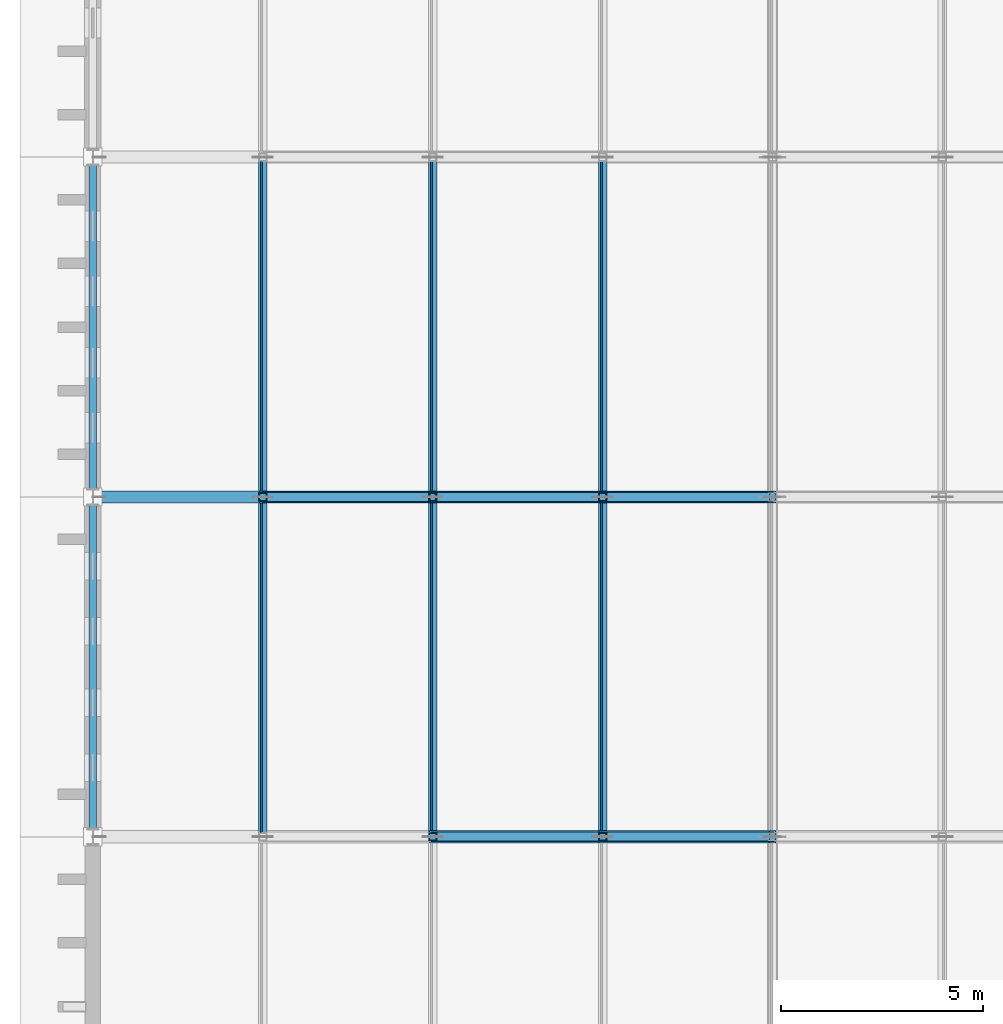
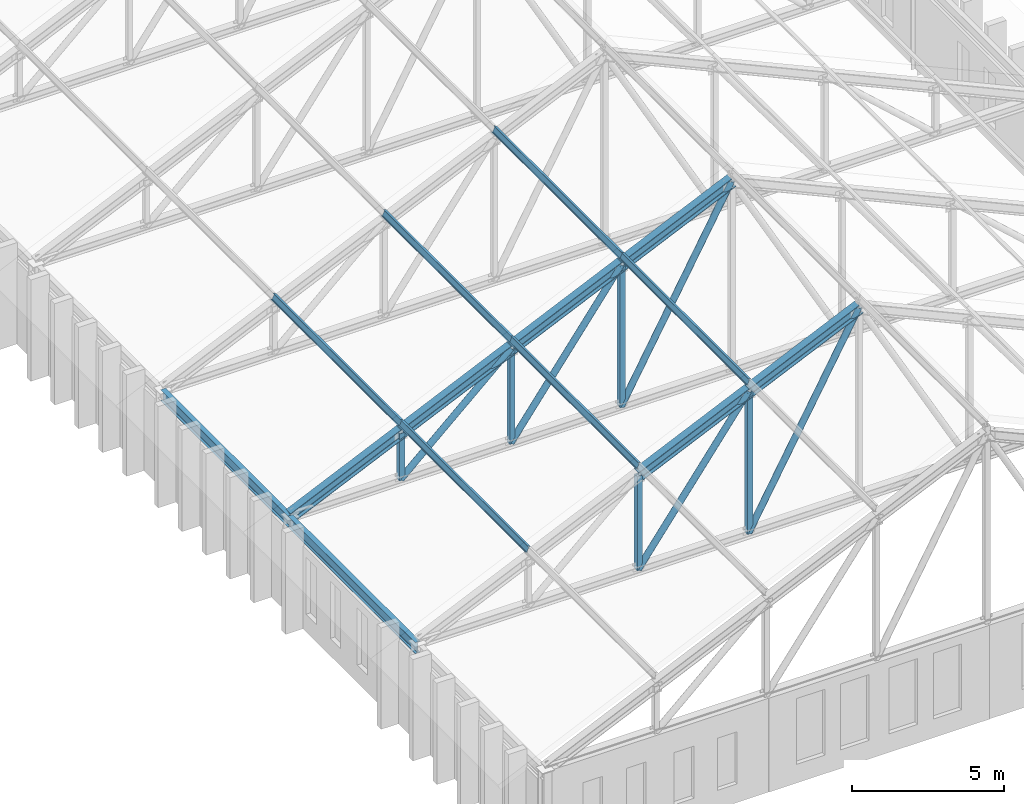
# One storey, part 7 of 110: 22 members, 2 beams.
"""IFC4 building model written with IfcOpenShell, lengths in metres."""

from ifc_helpers import new_model, si_unit, direction, frame, origin, origin_2d, place, context, subcontext, project, spatial, hollow_rectangle, hollow_circle, i_section, extrude, material, material_profile, profile_set, type_object, element, save


model = new_model("IFC4")

# Units and contexts
model_context = context("Model", 3, precision=1e-05, world=origin(), true_north=direction((0.0, 1.0)))
body_context = subcontext(model_context, "Body", "Model", "MODEL_VIEW")
ifc_project = project(units=[si_unit("LENGTHUNIT", "METRE"), si_unit("AREAUNIT", "SQUARE_METRE"), si_unit("VOLUMEUNIT", "CUBIC_METRE"), si_unit("PLANEANGLEUNIT", "RADIAN"), si_unit("MASSUNIT", "GRAM", prefix="KILO")], contexts=[model_context])

# Site, building, storey
site_placement = place(None, origin())
site = spatial("IfcSite", under=ifc_project, at=site_placement, CompositionType="ELEMENT")
building_placement = place(site_placement, origin())
building = spatial("IfcBuilding", under=site, at=building_placement, Name="Kveldsbrygga Polytechnic", CompositionType="ELEMENT")
storey_placement = place(building_placement, frame((0.0, 0.0, 9.860107421875)))
storey = spatial("IfcBuildingStorey", under=building, at=storey_placement, Name="L02", CompositionType="ELEMENT", Elevation=9.860107421875)

# Beams
ifc_material = material(Name="Steel S355", Category="steel")
ifc_material_profile_1 = material_profile(ifc_material, i_section(OverallWidth=0.18994140625, OverallDepth=0.449951171875, WebThickness=0.009521484375, FlangeThickness=0.0146484375, FilletRadius=0.02099609375, at=origin_2d()), Name="IPE 450")
ifc_profile_set_1 = profile_set([ifc_material_profile_1], Name="Steel S355")
beam_type = type_object("IfcBeamType", Name="BM-STL-IPE450", PredefinedType="BEAM", material=ifc_profile_set_1)
for number, where, z_axis, x_axis, name in (
    (1, (0.0, 33.60009765625, 3.554931640625), (0.0, 1.0, 0.0), (-1.0, 0.0, 0.0), "Workshop Eaves Beam BMY-V1EAV-W-04"),
    (2, (0.0, 42.0, 3.554931640625), (0.0, 1.0, 0.0), (-1.0, 0.0, 0.0), "Workshop Eaves Beam BMY-V1EAV-W-05"),
):
    element("IfcBeam", number, at=place(storey_placement, frame(where, z_axis=z_axis, x_axis=x_axis)), inside=storey, type_object=beam_type, Name=name, PredefinedType="BEAM", context=body_context, shape_type="SweptSolid", body=[
        extrude(i_section(OverallWidth=0.18994140625, OverallDepth=0.449951171875, WebThickness=0.009521484375, FlangeThickness=0.0146484375, FilletRadius=0.02099609375, at=origin_2d()), origin(), (0.0, 0.0, 1.0), 8.39990234375),
    ])

# Members
ifc_material_profile_2 = material_profile(ifc_material, i_section(OverallWidth=0.1201171875, OverallDepth=0.239990234375, WebThickness=0.006103515625, FlangeThickness=0.009765625, FilletRadius=0.014892578125, at=origin_2d()), Name="IPE 240")
ifc_profile_set_2 = profile_set([ifc_material_profile_2], Name="Steel S355")
member_type_1 = type_object("IfcMemberType", Name="PRL-IPE240", PredefinedType="PURLIN", material=ifc_profile_set_2)
for number, where, z_axis, x_axis, name in (
    (3, (4.199951171875, 33.60009765625, 6.031005859375), (0.0, 1.0, 0.0), (-0.911107850446, 0.0, 0.41216802988), "Roof Purlin V1W-PRL-2-1"),
    (4, (8.39990234375, 33.60009765625, 7.93115234375), (0.0, 1.0, 0.0), (-0.911107850446, 0.0, 0.41216802988), "Roof Purlin V1W-PRL-2-2"),
    (5, (12.60009765625, 33.60009765625, 9.8310546875), (0.0, 1.0, 0.0), (-0.911107850446, 0.0, 0.41216802988), "Roof Purlin V1W-PRL-2-3"),
    (6, (4.199951171875, 42.0, 6.031005859375), (0.0, 1.0, 0.0), (-0.911107850446, 0.0, 0.41216802988), "Roof Purlin V1W-PRL-3-1"),
    (7, (8.39990234375, 42.0, 7.93115234375), (0.0, 1.0, 0.0), (-0.911107850446, 0.0, 0.41216802988), "Roof Purlin V1W-PRL-3-2"),
    (8, (12.60009765625, 42.0, 9.8310546875), (0.0, 1.0, 0.0), (-0.911107850446, 0.0, 0.41216802988), "Roof Purlin V1W-PRL-3-3"),
):
    element("IfcMember", number, at=place(storey_placement, frame(where, z_axis=z_axis, x_axis=x_axis)), inside=storey, type_object=member_type_1, Name=name, PredefinedType="PURLIN", context=body_context, shape_type="SweptSolid", body=[
        extrude(i_section(OverallWidth=0.1201171875, OverallDepth=0.239990234375, WebThickness=0.006103515625, FlangeThickness=0.009765625, FilletRadius=0.014892578125, at=origin_2d()), origin(), (0.0, 0.0, 1.0), 8.39990234375),
    ])
ifc_material_profile_3 = material_profile(ifc_material, hollow_circle(Radius=0.122314453125, WallThickness=0.012451171875, at=origin_2d()), Name="CHS 244.5x12.5")
ifc_profile_set_3 = profile_set([ifc_material_profile_3], Name="Steel S355")
member_type_2 = type_object("IfcMemberType", Name="TR-DIAG-CHS245", PredefinedType="BRACE", material=ifc_profile_set_3)
member_1_placement = place(storey_placement, frame((8.39990234375, 33.60009765625, 3.77978515625), z_axis=(0.59320374275, 0.0, 0.805052370711), x_axis=(0.0, 1.0, 0.0)))
element("IfcMember", 9, at=member_1_placement, inside=storey, type_object=member_type_2, Name="Truss Diagonal V1W-T02-DG-3", PredefinedType="BRACE", context=body_context, shape_type="SweptSolid", body=[
    extrude(hollow_circle(Radius=0.122314453125, WallThickness=0.012451171875, at=origin_2d()), origin(), (0.0, 0.0, 1.0), 7.08056640625),
])
member_2_placement = place(storey_placement, frame((12.60009765625, 33.60009765625, 3.77978515625), z_axis=(0.483677042996, 0.0, 0.875246547025), x_axis=(0.0, 1.0, 0.0)))
element("IfcMember", 10, at=member_2_placement, inside=storey, type_object=member_type_2, Name="Truss Diagonal V1W-T02-DG-4", PredefinedType="BRACE", context=body_context, shape_type="SweptSolid", body=[
    extrude(hollow_circle(Radius=0.122314453125, WallThickness=0.012451171875, at=origin_2d()), origin(), (0.0, 0.0, 1.0), 8.683349609375),
])
member_3_placement = place(storey_placement, frame((4.199951171875, 42.0, 3.77978515625), z_axis=(0.741527609628, 0.0, 0.670922353302), x_axis=(0.0, 1.0, 0.0)))
element("IfcMember", 11, at=member_3_placement, inside=storey, type_object=member_type_2, Name="Truss Diagonal V1W-T03-DG-2", PredefinedType="BRACE", context=body_context, shape_type="SweptSolid", body=[
    extrude(hollow_circle(Radius=0.122314453125, WallThickness=0.012451171875, at=origin_2d()), origin(), (0.0, 0.0, 1.0), 5.663818359375),
])
member_4_placement = place(storey_placement, frame((8.39990234375, 42.0, 3.77978515625), z_axis=(0.59320374275, 0.0, 0.805052370711), x_axis=(0.0, 1.0, 0.0)))
element("IfcMember", 12, at=member_4_placement, inside=storey, type_object=member_type_2, Name="Truss Diagonal V1W-T03-DG-3", PredefinedType="BRACE", context=body_context, shape_type="SweptSolid", body=[
    extrude(hollow_circle(Radius=0.122314453125, WallThickness=0.012451171875, at=origin_2d()), origin(), (0.0, 0.0, 1.0), 7.08056640625),
])
member_5_placement = place(storey_placement, frame((12.60009765625, 42.0, 3.77978515625), z_axis=(0.483677042996, 0.0, 0.875246547025), x_axis=(0.0, 1.0, 0.0)))
element("IfcMember", 13, at=member_5_placement, inside=storey, type_object=member_type_2, Name="Truss Diagonal V1W-T03-DG-4", PredefinedType="BRACE", context=body_context, shape_type="SweptSolid", body=[
    extrude(hollow_circle(Radius=0.122314453125, WallThickness=0.012451171875, at=origin_2d()), origin(), (0.0, 0.0, 1.0), 8.683349609375),
])
ifc_material_profile_4 = material_profile(ifc_material, hollow_rectangle(XDim=0.199951171875, YDim=0.199951171875, WallThickness=0.012451171875, at=origin_2d()), Name="SHS 200x200x12.5")
ifc_profile_set_4 = profile_set([ifc_material_profile_4], Name="Steel S355")
member_type_3 = type_object("IfcMemberType", Name="TR-POST-SHS200", PredefinedType="STRUT", material=ifc_profile_set_4)
member_6_placement = place(storey_placement, frame((8.39990234375, 33.60009765625, 3.77978515625), z_axis=(0.0, 0.0, 1.0), x_axis=(1.0, 0.0, 0.0)))
element("IfcMember", 14, at=member_6_placement, inside=storey, type_object=member_type_3, Name="Truss Vertical V1W-T02-VT-2", PredefinedType="STRUT", context=body_context, shape_type="SweptSolid", body=[
    extrude(hollow_rectangle(XDim=0.199951171875, YDim=0.199951171875, WallThickness=0.012451171875, at=origin_2d()), origin(), (0.0, 0.0, 1.0), 3.800048828125),
])
member_7_placement = place(storey_placement, frame((12.60009765625, 33.60009765625, 3.77978515625), z_axis=(0.0, 0.0, 1.0), x_axis=(1.0, 0.0, 0.0)))
element("IfcMember", 15, at=member_7_placement, inside=storey, type_object=member_type_3, Name="Truss Vertical V1W-T02-VT-3", PredefinedType="STRUT", context=body_context, shape_type="SweptSolid", body=[
    extrude(hollow_rectangle(XDim=0.199951171875, YDim=0.199951171875, WallThickness=0.012451171875, at=origin_2d()), origin(), (0.0, 0.0, 1.0), 5.7001953125),
])
member_8_placement = place(storey_placement, frame((4.199951171875, 42.0, 3.77978515625), z_axis=(0.0, 0.0, 1.0), x_axis=(1.0, 0.0, 0.0)))
element("IfcMember", 16, at=member_8_placement, inside=storey, type_object=member_type_3, Name="Truss Vertical V1W-T03-VT-1", PredefinedType="STRUT", context=body_context, shape_type="SweptSolid", body=[
    extrude(hollow_rectangle(XDim=0.199951171875, YDim=0.199951171875, WallThickness=0.012451171875, at=origin_2d()), origin(), (0.0, 0.0, 1.0), 1.900146484375),
])
member_9_placement = place(storey_placement, frame((8.39990234375, 42.0, 3.77978515625), z_axis=(0.0, 0.0, 1.0), x_axis=(1.0, 0.0, 0.0)))
element("IfcMember", 17, at=member_9_placement, inside=storey, type_object=member_type_3, Name="Truss Vertical V1W-T03-VT-2", PredefinedType="STRUT", context=body_context, shape_type="SweptSolid", body=[
    extrude(hollow_rectangle(XDim=0.199951171875, YDim=0.199951171875, WallThickness=0.012451171875, at=origin_2d()), origin(), (0.0, 0.0, 1.0), 3.800048828125),
])
member_10_placement = place(storey_placement, frame((12.60009765625, 42.0, 3.77978515625), z_axis=(0.0, 0.0, 1.0), x_axis=(1.0, 0.0, 0.0)))
element("IfcMember", 18, at=member_10_placement, inside=storey, type_object=member_type_3, Name="Truss Vertical V1W-T03-VT-3", PredefinedType="STRUT", context=body_context, shape_type="SweptSolid", body=[
    extrude(hollow_rectangle(XDim=0.199951171875, YDim=0.199951171875, WallThickness=0.012451171875, at=origin_2d()), origin(), (0.0, 0.0, 1.0), 5.7001953125),
])
ifc_material_profile_5 = material_profile(ifc_material, i_section(OverallWidth=0.300048828125, OverallDepth=0.39990234375, WebThickness=0.013427734375, FlangeThickness=0.02392578125, FilletRadius=0.027099609375, at=origin_2d()), Name="HEB 400")
ifc_profile_set_5 = profile_set([ifc_material_profile_5], Name="Steel S355")
member_type_4 = type_object("IfcMemberType", Name="TR-TOP-HEB400", PredefinedType="CHORD", material=ifc_profile_set_5)
member_11_placement = place(storey_placement, frame((8.39990234375, 33.60009765625, 7.579833984375), z_axis=(0.911103187639, 0.0, 0.412178336979), x_axis=(0.0, 1.0, 0.0)))
element("IfcMember", 19, at=member_11_placement, inside=storey, type_object=member_type_4, Name="Truss Top Chord V1W-T02-TC-3", PredefinedType="CHORD", context=body_context, shape_type="SweptSolid", body=[
    extrude(i_section(OverallWidth=0.300048828125, OverallDepth=0.39990234375, WebThickness=0.013427734375, FlangeThickness=0.02392578125, FilletRadius=0.027099609375, at=origin_2d()), origin(), (0.0, 0.0, 1.0), 4.610107421875),
])
member_12_placement = place(storey_placement, frame((12.60009765625, 33.60009765625, 9.47998046875), z_axis=(0.91111407885, 0.0, 0.41215426156), x_axis=(0.0, 1.0, 0.0)))
element("IfcMember", 20, at=member_12_placement, inside=storey, type_object=member_type_4, Name="Truss Top Chord V1W-T02-TC-4", PredefinedType="CHORD", context=body_context, shape_type="SweptSolid", body=[
    extrude(i_section(OverallWidth=0.300048828125, OverallDepth=0.39990234375, WebThickness=0.013427734375, FlangeThickness=0.02392578125, FilletRadius=0.027099609375, at=origin_2d()), origin(), (0.0, 0.0, 1.0), 4.609619140625),
])
member_13_placement = place(storey_placement, frame((0.0, 42.0, 3.77978515625), z_axis=(0.911094189765, 0.0, 0.412198225829), x_axis=(0.0, 1.0, 0.0)))
element("IfcMember", 21, at=member_13_placement, inside=storey, type_object=member_type_4, Name="Truss Top Chord V1W-T03-TC-1", PredefinedType="CHORD", context=body_context, shape_type="SweptSolid", body=[
    extrude(i_section(OverallWidth=0.300048828125, OverallDepth=0.39990234375, WebThickness=0.013427734375, FlangeThickness=0.02392578125, FilletRadius=0.027099609375, at=origin_2d()), origin(), (0.0, 0.0, 1.0), 4.60986328125),
])
member_14_placement = place(storey_placement, frame((4.199951171875, 42.0, 5.679931640625), z_axis=(0.91111407885, 0.0, 0.41215426156), x_axis=(0.0, 1.0, 0.0)))
element("IfcMember", 22, at=member_14_placement, inside=storey, type_object=member_type_4, Name="Truss Top Chord V1W-T03-TC-2", PredefinedType="CHORD", context=body_context, shape_type="SweptSolid", body=[
    extrude(i_section(OverallWidth=0.300048828125, OverallDepth=0.39990234375, WebThickness=0.013427734375, FlangeThickness=0.02392578125, FilletRadius=0.027099609375, at=origin_2d()), origin(), (0.0, 0.0, 1.0), 4.609619140625),
])
member_15_placement = place(storey_placement, frame((8.39990234375, 42.0, 7.579833984375), z_axis=(0.911103187639, 0.0, 0.412178336979), x_axis=(0.0, 1.0, 0.0)))
element("IfcMember", 23, at=member_15_placement, inside=storey, type_object=member_type_4, Name="Truss Top Chord V1W-T03-TC-3", PredefinedType="CHORD", context=body_context, shape_type="SweptSolid", body=[
    extrude(i_section(OverallWidth=0.300048828125, OverallDepth=0.39990234375, WebThickness=0.013427734375, FlangeThickness=0.02392578125, FilletRadius=0.027099609375, at=origin_2d()), origin(), (0.0, 0.0, 1.0), 4.610107421875),
])
member_16_placement = place(storey_placement, frame((12.60009765625, 42.0, 9.47998046875), z_axis=(0.91111407885, 0.0, 0.41215426156), x_axis=(0.0, 1.0, 0.0)))
element("IfcMember", 24, at=member_16_placement, inside=storey, type_object=member_type_4, Name="Truss Top Chord V1W-T03-TC-4", PredefinedType="CHORD", context=body_context, shape_type="SweptSolid", body=[
    extrude(i_section(OverallWidth=0.300048828125, OverallDepth=0.39990234375, WebThickness=0.013427734375, FlangeThickness=0.02392578125, FilletRadius=0.027099609375, at=origin_2d()), origin(), (0.0, 0.0, 1.0), 4.609619140625),
])

save(model, "model.ifc")
